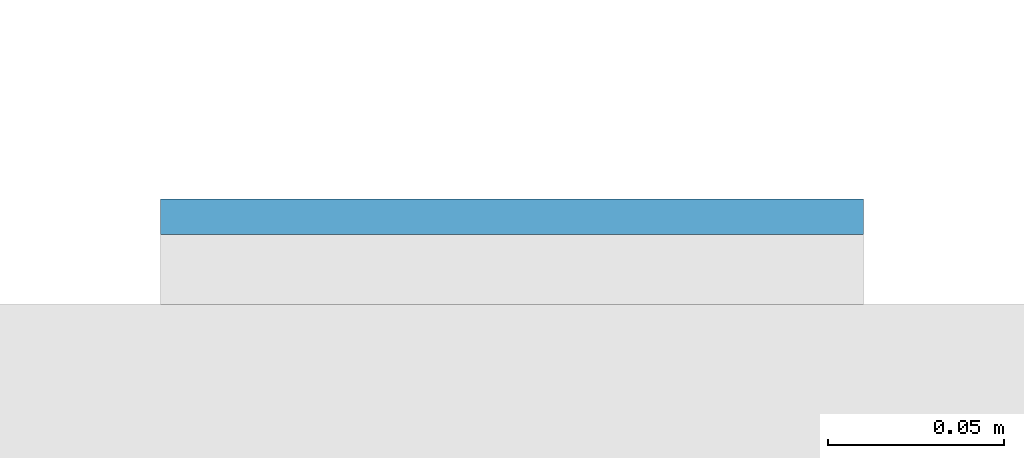
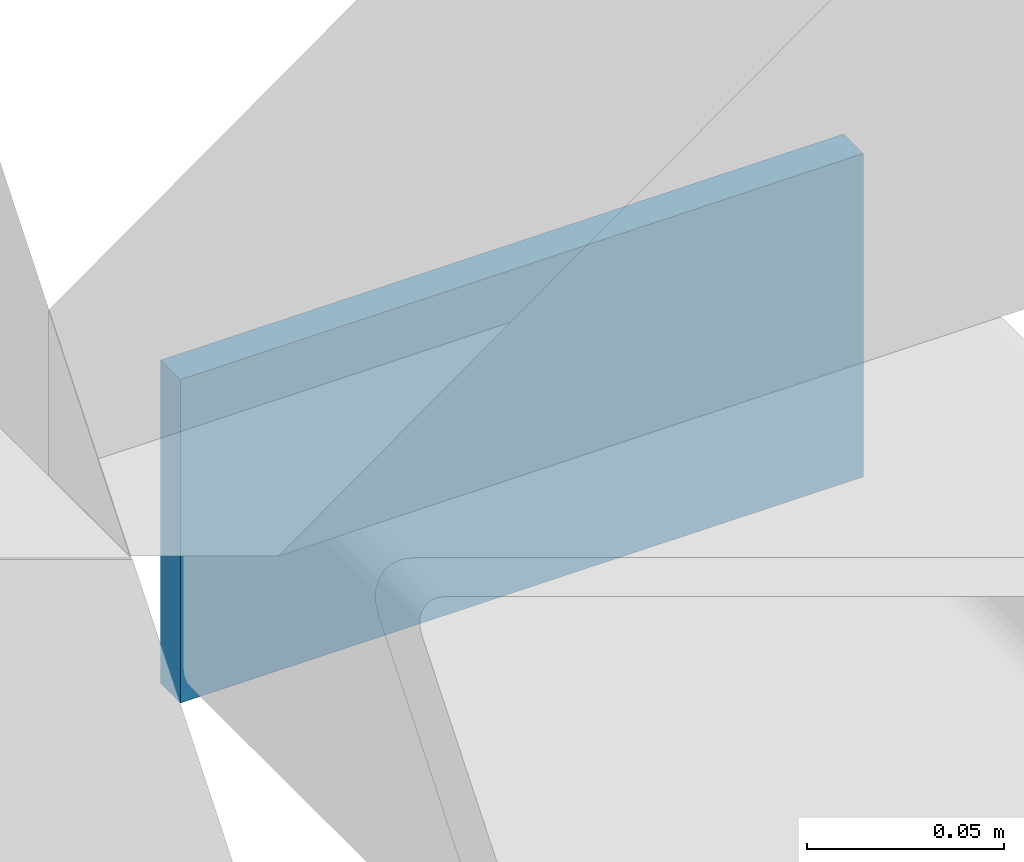
# One storey, part 11 of 20: 1 plate.
"""IFC4 building model written with IfcOpenShell, lengths in metres."""

import ifcopenshell
import ifcopenshell.guid

model = None  # the IFC model being written
_history = None  # IfcOwnerHistory: only IFC2X3 demands one
_inside = {}  # id of a spatial element -> (the spatial element, [elements in it])
_under = {}  # id of a project, library or spatial element -> (it, [spatial elements below it])
_declared = {}  # id of a project -> (the project, [libraries it declares])
_typed = {}  # id of a type object -> (the type object, [elements of that type])
_made_of = {}  # id of a material, layer set ... -> (it, [elements and type objects made of it])


def new_model(schema):
    """Start an empty IFC model of exactly this schema.

    Asked for "IFC4X3", IfcOpenShell would pick the latest addendum, in which some entities
    have other attributes; the version numbers below select the first issue.
    IFC2X3 requires an IfcOwnerHistory on every rooted entity: one is made here for all.
    """
    global model, _history
    if schema == "IFC4X3":
        model = ifcopenshell.file(schema_version=(4, 3, 0, 0))
    else:
        model = ifcopenshell.file(schema=schema)
    _inside.clear()
    _under.clear()
    _declared.clear()
    _typed.clear()
    _made_of.clear()
    _history = None
    if model.schema == "IFC2X3":
        org = make("IfcOrganization", Name="unknown")
        user = make(
            "IfcPersonAndOrganization",
            ThePerson=make("IfcPerson", FamilyName="unknown"),
            TheOrganization=org,
        )
        app = make(
            "IfcApplication",
            ApplicationDeveloper=org,
            Version="unknown",
            ApplicationFullName="unknown",
            ApplicationIdentifier="unknown",
        )
        _history = make(
            "IfcOwnerHistory",
            OwningUser=user,
            OwningApplication=app,
            ChangeAction="ADDED",
            CreationDate=0,
        )
    return model


def make(cls, **values):
    """One entity of the class cls with the attributes given. An attribute that is None is left unset."""
    return model.create_entity(
        cls, **{name: value for name, value in values.items() if value is not None}
    )


def rooted(cls, **values):
    """An entity with a GlobalId (a new one), such as an element, a storey or a relation."""
    return make(cls, GlobalId=ifcopenshell.guid.new(), OwnerHistory=_history, **values)


def si_unit(unit_type, name, prefix=None):
    """IfcSIUnit, for example si_unit("LENGTHUNIT", "METRE", prefix="MILLI")."""
    return make("IfcSIUnit", UnitType=unit_type, Prefix=prefix, Name=name)


def assignment(units):
    """IfcUnitAssignment: the units of a project."""
    return None if units is None else make("IfcUnitAssignment", Units=units)


def point(xyz):
    """IfcCartesianPoint."""
    return None if xyz is None else make("IfcCartesianPoint", Coordinates=xyz)


def direction(xyz):
    """IfcDirection."""
    return None if xyz is None else make("IfcDirection", DirectionRatios=xyz)


def frame(location, z_axis=None, x_axis=None):
    """IfcAxis2Placement3D, a coordinate frame: its origin and axes. An axis left out is left unset."""
    return make(
        "IfcAxis2Placement3D",
        Location=point(location),
        Axis=direction(z_axis),
        RefDirection=direction(x_axis),
    )


def frame_2d(location, x_axis=None):
    """IfcAxis2Placement2D, a coordinate frame in the plane: its origin and x axis."""
    return make(
        "IfcAxis2Placement2D", Location=point(location), RefDirection=direction(x_axis)
    )


def origin():
    """The frame at (0, 0, 0) with its axes left unset."""
    return frame((0.0, 0.0, 0.0))


def origin_2d():
    """The frame at (0, 0) in the plane with its x axis left unset."""
    return frame_2d((0.0, 0.0))


def place(relative_to, where):
    """IfcLocalPlacement: puts the frame where relative to a parent placement (None: the world)."""
    return make(
        "IfcLocalPlacement", PlacementRelTo=relative_to, RelativePlacement=where
    )


def context(
    kind, dimensions, precision=None, world=None, true_north=None, identifier=None
):
    """IfcGeometricRepresentationContext, for example the 3D "Model" context."""
    return make(
        "IfcGeometricRepresentationContext",
        ContextIdentifier=identifier,
        ContextType=kind,
        CoordinateSpaceDimension=dimensions,
        Precision=precision,
        WorldCoordinateSystem=world,
        TrueNorth=true_north,
    )


def subcontext(parent, identifier, kind, view, scale=None):
    """IfcGeometricRepresentationSubContext, for example "Body" below "Model"."""
    return make(
        "IfcGeometricRepresentationSubContext",
        ContextIdentifier=identifier,
        ContextType=kind,
        ParentContext=parent,
        TargetScale=scale,
        TargetView=view,
    )


def project(units=None, contexts=None):
    """IfcProject with its units and contexts."""
    return rooted(
        "IfcProject",
        Name="project",
        RepresentationContexts=contexts,
        UnitsInContext=assignment(units),
    )


def spatial(cls, under=None, at=None, **own):
    """A site, building, storey or space (cls), placed at a placement, below another one or the project."""
    s = rooted(cls, ObjectPlacement=at, **own)
    if under is not None:
        _under.setdefault(under.id(), (under, []))[1].append(s)
    return s


def profile(cls, at=None, kind="AREA", **sizes):
    """A parametric profile (cls). Its sizes go by their IFC names, for example OverallWidth=200.0."""
    return make(cls, ProfileType=kind, Position=at, **sizes)


def rectangle(**sizes):
    """IfcRectangleProfileDef."""
    return profile("IfcRectangleProfileDef", **sizes)


def extrude(swept, where, along, depth):
    """IfcExtrudedAreaSolid: the profile swept, set in the frame where, extruded along a direction by depth."""
    return make(
        "IfcExtrudedAreaSolid",
        SweptArea=swept,
        Position=where,
        ExtrudedDirection=direction(along),
        Depth=depth,
    )


def shape(context_of_items, identifier, shape_type, items):
    """IfcShapeRepresentation: the items that make up one representation, for example the "Body"."""
    return make(
        "IfcShapeRepresentation",
        ContextOfItems=context_of_items,
        RepresentationIdentifier=identifier,
        RepresentationType=shape_type,
        Items=items,
    )


def material(Name=None, Category=None):
    """IfcMaterial."""
    return make("IfcMaterial", Name=Name, Category=Category)


def layer(
    of_material, thickness, ventilated=None, Name=None, Category=None, Priority=None
):
    """IfcMaterialLayer: one layer of a wall or slab, of a material (None: an air gap)."""
    return make(
        "IfcMaterialLayer",
        Material=of_material,
        LayerThickness=thickness,
        IsVentilated=ventilated,
        Name=Name,
        Category=Category,
        Priority=Priority,
    )


def layer_set(layers, Name=None):
    """IfcMaterialLayerSet."""
    return make("IfcMaterialLayerSet", MaterialLayers=layers, LayerSetName=Name)


def made_of(thing, what):
    """Note that an element or type object is made of a material, layer set ...; save() writes the relation."""
    if what is not None:
        _made_of.setdefault(what.id(), (what, []))[1].append(thing)
    return thing


def type_object(cls, material=None, **own):
    """A type object (cls), such as IfcWallType, which elements share."""
    return made_of(rooted(cls, **own), material)


def element(
    cls,
    number,
    at=None,
    inside=None,
    cuts=None,
    type_object=None,
    material=None,
    context=None,
    identifier="Body",
    shape_type=None,
    held_by="IfcProductDefinitionShape",
    body=None,
    shapes=None,
    **own,
):
    """One element of the class cls, such as IfcWall. Its Tag is "e" and its number.

    at: its placement. inside: the storey or other place that contains it. cuts: it is an
    opening in that element (IfcRelVoidsElement). A single representation is given by context,
    identifier, shape_type and body (its items); several are given by shapes. held_by: the class
    of the entity that holds the representations. save() writes the other relations.
    """
    e = rooted(cls, Tag="e%d" % number, ObjectPlacement=at, **own)
    if body is not None:
        shapes = [shape(context, identifier, shape_type, body)]
    if shapes is not None:
        e.Representation = make(held_by, Representations=shapes)
    if inside is not None:
        _inside.setdefault(inside.id(), (inside, []))[1].append(e)
    if cuts is not None:
        rooted(
            "IfcRelVoidsElement", RelatingBuildingElement=cuts, RelatedOpeningElement=e
        )
    if type_object is not None:
        _typed.setdefault(type_object.id(), (type_object, []))[1].append(e)
    return made_of(e, material)


def aggregate(whole, parts):
    """IfcRelAggregates: a whole, such as a stair, and the parts it consists of."""
    return rooted("IfcRelAggregates", RelatingObject=whole, RelatedObjects=parts)


def save(model, path):
    """Write the relations noted so far, then the file.

    IfcRelAggregates (storeys below a building ...), IfcRelContainedInSpatialStructure (elements
    in a storey), IfcRelDefinesByType, IfcRelAssociatesMaterial and IfcRelDeclares: one each for
    every whole, place, type object, material and project.
    """
    for whole, parts in _under.values():
        aggregate(whole, parts)
    for where, things in _inside.values():
        rooted(
            "IfcRelContainedInSpatialStructure",
            RelatedElements=things,
            RelatingStructure=where,
        )
    for kind, things in _typed.values():
        rooted("IfcRelDefinesByType", RelatedObjects=things, RelatingType=kind)
    for what, things in _made_of.values():
        rooted("IfcRelAssociatesMaterial", RelatedObjects=things, RelatingMaterial=what)
    for by, libraries in _declared.values():
        rooted("IfcRelDeclares", RelatingContext=by, RelatedDefinitions=libraries)
    model.write(path)


model = new_model("IFC4")

# Units and contexts
model_context = context("Model", 3, precision=1e-05, world=origin(), true_north=direction((0.0, 1.0)))
body_context = subcontext(model_context, "Body", "Model", "MODEL_VIEW")
ifc_project = project(units=[si_unit("LENGTHUNIT", "METRE"), si_unit("AREAUNIT", "SQUARE_METRE"), si_unit("VOLUMEUNIT", "CUBIC_METRE"), si_unit("PLANEANGLEUNIT", "RADIAN"), si_unit("MASSUNIT", "GRAM", prefix="KILO")], contexts=[model_context])

# Site, building, storey
site_placement = place(None, origin())
site = spatial("IfcSite", under=ifc_project, at=site_placement, CompositionType="ELEMENT")
building_placement = place(site_placement, origin())
building = spatial("IfcBuilding", under=site, at=building_placement, Name="Cleftline Residences", CompositionType="ELEMENT")
storey_placement = place(building_placement, frame((0.0, 0.0, 99.800048828125)))
storey = spatial("IfcBuildingStorey", under=building, at=storey_placement, Name="L25", CompositionType="ELEMENT", Elevation=99.800048828125)

# Plate
ifc_material = material(Name="Steel S355, hot-dip galvanised", Category="steel")
ifc_layer = layer(ifc_material, 0.010009765625)
ifc_layer_set = layer_set([ifc_layer], Name="BAGUETTE CARRIER END PLATE 200X100X10")
plate_type = type_object("IfcPlateType", Name="BAGUETTE CARRIER END PLATE 200X100X10", PredefinedType="USERDEFINED", material=ifc_layer_set)
plate_placement = place(storey_placement, frame((66.85009765625, 44.304931640625, -0.10009765625), z_axis=(0.0, 0.0, 1.0), x_axis=(1.0, 0.0, 0.0)))
element("IfcPlate", 1, at=plate_placement, inside=storey, type_object=plate_type, Name="Baguette carrier end plate", ObjectType="BAGUETTE CARRIER END PLATE", PredefinedType="USERDEFINED", context=body_context, shape_type="SweptSolid", body=[
    extrude(rectangle(XDim=0.199951171875, YDim=0.010009765625, at=origin_2d()), origin(), (0.0, 0.0, 1.0), 0.10009765625),
])

save(model, "model.ifc")
